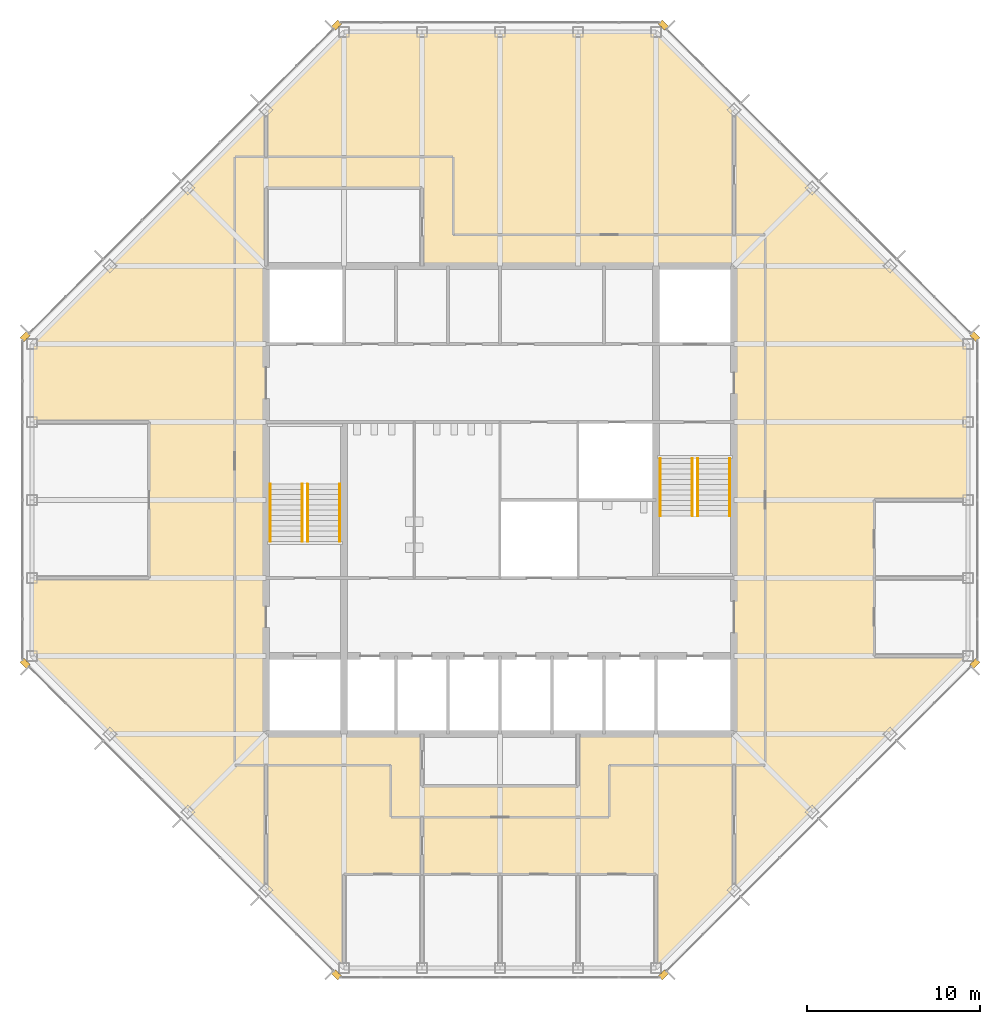
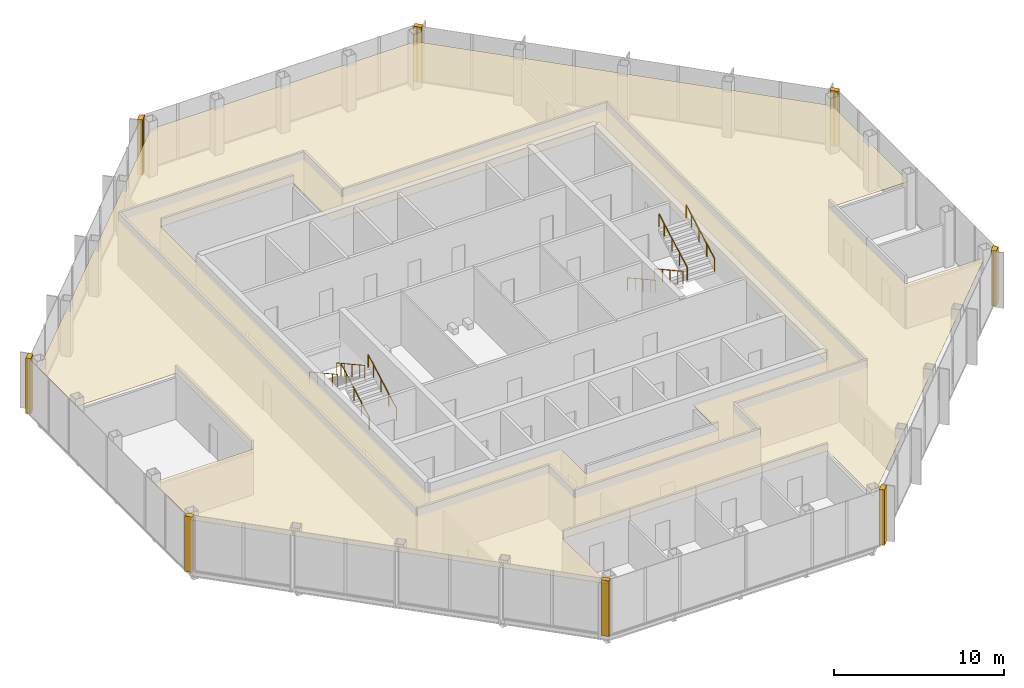
# One storey, part 12 of 13: 9 coverings, 8 railings.
"""IFC4 building model written with IfcOpenShell, lengths in metres."""

from ifc_helpers import new_model, si_unit, direction, frame, origin, origin_2d, place, context, subcontext, project, spatial, polyline, circle, outline, extrude, material, layer, layer_set, type_object, element, save


model = new_model("IFC4")

# Units and contexts
model_context = context("Model", 3, precision=1e-05, world=origin(), true_north=direction((0.0, 1.0)))
body_context = subcontext(model_context, "Body", "Model", "MODEL_VIEW")
ifc_project = project(units=[si_unit("LENGTHUNIT", "METRE"), si_unit("AREAUNIT", "SQUARE_METRE"), si_unit("VOLUMEUNIT", "CUBIC_METRE"), si_unit("PLANEANGLEUNIT", "RADIAN"), si_unit("MASSUNIT", "GRAM", prefix="KILO")], contexts=[model_context])

# Site, building, storey
site_placement = place(None, origin())
site = spatial("IfcSite", under=ifc_project, at=site_placement, CompositionType="ELEMENT")
building_placement = place(site_placement, origin())
building = spatial("IfcBuilding", under=site, at=building_placement, Name="Corais Broadcast Tower", CompositionType="ELEMENT")
storey_placement = place(building_placement, frame((0.0, 0.0, 274.60009765625)))
storey = spatial("IfcBuildingStorey", under=building, at=storey_placement, Name="L64", CompositionType="ELEMENT", Elevation=274.60009765625)

# Railings
ifc_material_1 = material(Name="Stainless steel handrail", Category="steel")
railing_type = type_object("IfcRailingType", Name="Handrail 920", PredefinedType="HANDRAIL", material=ifc_material_1)
for number, where, name in (
    (1, (17.75, 24.60009765625, 0.16650390625), "HR1 L64"),
    (2, (15.89990234375, 24.60009765625, 0.16650390625), "HR1 L64"),
):
    element("IfcRailing", number, at=place(storey_placement, frame(where)), inside=storey, type_object=railing_type, Name=name, PredefinedType="HANDRAIL", context=body_context, shape_type="SweptSolid", body=[
        extrude(circle(Radius=0.02392578125, at=origin_2d()), frame((0.0, 0.0, 0.89599609375), z_axis=(0.0, 0.875504475178, 0.483210010185), x_axis=(-1.0, 0.0, 0.0)), (0.0, 0.0, 1.0), 3.79443359375),
        extrude(circle(Radius=0.02099609375, at=origin_2d()), origin(), (0.0, 0.0, 1.0), 0.871826171875),
        extrude(circle(Radius=0.02099609375, at=origin_2d()), frame((0.0, 0.906005859375, 0.5)), (0.0, 0.0, 1.0), 0.871826171875),
        extrude(circle(Radius=0.02099609375, at=origin_2d()), frame((0.0, 1.81201171875, 1.0)), (0.0, 0.0, 1.0), 0.871826171875),
        extrude(circle(Radius=0.02099609375, at=origin_2d()), frame((0.0, 2.718017578125, 1.500244140625)), (0.0, 0.0, 1.0), 0.871826171875),
        extrude(circle(Radius=0.02099609375, at=origin_2d()), frame((0.0, 3.322021484375, 1.83349609375)), (0.0, 0.0, 1.0), 0.871826171875),
    ])
for number, where, name in (
    (3, (13.75, 27.922119140625, 2.16650390625), "HR1 L64"),
    (4, (15.60009765625, 27.922119140625, 2.16650390625), "HR1 L64"),
    (5, (36.25, 29.39990234375, 0.16650390625), "HR1 L64"),
    (6, (38.10009765625, 29.39990234375, 0.16650390625), "HR1 L64"),
):
    element("IfcRailing", number, at=place(storey_placement, frame(where)), inside=storey, type_object=railing_type, Name=name, PredefinedType="HANDRAIL", context=body_context, shape_type="SweptSolid", body=[
        extrude(circle(Radius=0.02392578125, at=origin_2d()), frame((0.0, 0.0, 0.89599609375), z_axis=(0.0, -0.875504475178, 0.483210010185), x_axis=(1.0, 0.0, 0.0)), (0.0, 0.0, 1.0), 3.79443359375),
        extrude(circle(Radius=0.02099609375, at=origin_2d()), origin(), (0.0, 0.0, 1.0), 0.871826171875),
        extrude(circle(Radius=0.02099609375, at=origin_2d()), frame((0.0, -0.906005859375, 0.5)), (0.0, 0.0, 1.0), 0.871826171875),
        extrude(circle(Radius=0.02099609375, at=origin_2d()), frame((0.0, -1.81201171875, 1.0)), (0.0, 0.0, 1.0), 0.871826171875),
        extrude(circle(Radius=0.02099609375, at=origin_2d()), frame((0.0, -2.718017578125, 1.500244140625)), (0.0, 0.0, 1.0), 0.871826171875),
        extrude(circle(Radius=0.02099609375, at=origin_2d()), frame((0.0, -3.322021484375, 1.83349609375)), (0.0, 0.0, 1.0), 0.871826171875),
    ])
for number, where, name in (
    (7, (40.25, 26.077880859375, 2.16650390625), "HR1 L64"),
    (8, (38.39990234375, 26.077880859375, 2.16650390625), "HR1 L64"),
):
    element("IfcRailing", number, at=place(storey_placement, frame(where)), inside=storey, type_object=railing_type, Name=name, PredefinedType="HANDRAIL", context=body_context, shape_type="SweptSolid", body=[
        extrude(circle(Radius=0.02392578125, at=origin_2d()), frame((0.0, 0.0, 0.89599609375), z_axis=(0.0, 0.875504475178, 0.483210010185), x_axis=(-1.0, 0.0, 0.0)), (0.0, 0.0, 1.0), 3.79443359375),
        extrude(circle(Radius=0.02099609375, at=origin_2d()), origin(), (0.0, 0.0, 1.0), 0.871826171875),
        extrude(circle(Radius=0.02099609375, at=origin_2d()), frame((0.0, 0.906005859375, 0.5)), (0.0, 0.0, 1.0), 0.871826171875),
        extrude(circle(Radius=0.02099609375, at=origin_2d()), frame((0.0, 1.81201171875, 1.0)), (0.0, 0.0, 1.0), 0.871826171875),
        extrude(circle(Radius=0.02099609375, at=origin_2d()), frame((0.0, 2.718017578125, 1.500244140625)), (0.0, 0.0, 1.0), 0.871826171875),
        extrude(circle(Radius=0.02099609375, at=origin_2d()), frame((0.0, 3.322021484375, 1.83349609375)), (0.0, 0.0, 1.0), 0.871826171875),
    ])

# Coverings
ifc_material_2 = material(Name="Granite stone cladding", Category="masonry")
ifc_layer_1 = layer(ifc_material_2, 0.324951171875)
ifc_layer_set_1 = layer_set([ifc_layer_1], Name="Granite stone cladding")
covering_type_1 = type_object("IfcCoveringType", Name="Stone corner pier cladding 500x325", PredefinedType="CLADDING", material=ifc_layer_set_1)
covering_1_placement = place(storey_placement, origin())
element("IfcCovering", 9, at=covering_1_placement, inside=storey, type_object=covering_type_1, Name="SP1 stone corner pier L64", PredefinedType="CLADDING", context=body_context, shape_type="SweptSolid", body=[
    extrude(outline(polyline([(17.860595703125, -0.461669921875), (17.72412109375, -0.324951171875), (17.675048828125, -0.324951171875), (17.675048828125, -0.27587890625), (17.507080078125, -0.108154296875), (17.277099609375, -0.337890625), (17.630859375, -0.69140625), (17.860595703125, -0.461669921875)])), origin(), (0.0, 0.0, 1.0), 4.0),
])
covering_2_placement = place(storey_placement, origin())
element("IfcCovering", 10, at=covering_2_placement, inside=storey, type_object=covering_type_1, Name="SP1 stone corner pier L64", PredefinedType="CLADDING", context=body_context, shape_type="SweptSolid", body=[
    extrude(outline(polyline([(-0.324951171875, 17.72412109375), (-0.461669921875, 17.860595703125), (-0.69140625, 17.630859375), (-0.337890625, 17.277099609375), (-0.108154296875, 17.507080078125), (-0.27587890625, 17.675048828125), (-0.324951171875, 17.675048828125), (-0.324951171875, 17.72412109375)])), origin(), (0.0, 0.0, 1.0), 4.0),
])
covering_3_placement = place(storey_placement, origin())
element("IfcCovering", 11, at=covering_3_placement, inside=storey, type_object=covering_type_1, Name="SP1 stone corner pier L64", PredefinedType="CLADDING", context=body_context, shape_type="SweptSolid", body=[
    extrude(outline(polyline([(-0.461669921875, 36.139404296875), (-0.324951171875, 36.27587890625), (-0.324951171875, 36.324951171875), (-0.27587890625, 36.324951171875), (-0.108154296875, 36.492919921875), (-0.337890625, 36.722900390625), (-0.69140625, 36.369140625), (-0.461669921875, 36.139404296875)])), origin(), (0.0, 0.0, 1.0), 4.0),
])
covering_4_placement = place(storey_placement, origin())
element("IfcCovering", 12, at=covering_4_placement, inside=storey, type_object=covering_type_1, Name="SP1 stone corner pier L64", PredefinedType="CLADDING", context=body_context, shape_type="SweptSolid", body=[
    extrude(outline(polyline([(17.72412109375, 54.324951171875), (17.860595703125, 54.461669921875), (17.630859375, 54.69140625), (17.277099609375, 54.337890625), (17.507080078125, 54.108154296875), (17.675048828125, 54.27587890625), (17.675048828125, 54.324951171875), (17.72412109375, 54.324951171875)])), origin(), (0.0, 0.0, 1.0), 4.0),
])
covering_5_placement = place(storey_placement, origin())
element("IfcCovering", 13, at=covering_5_placement, inside=storey, type_object=covering_type_1, Name="SP1 stone corner pier L64", PredefinedType="CLADDING", context=body_context, shape_type="SweptSolid", body=[
    extrude(outline(polyline([(36.139404296875, 54.461669921875), (36.27587890625, 54.324951171875), (36.324951171875, 54.324951171875), (36.324951171875, 54.27587890625), (36.492919921875, 54.108154296875), (36.722900390625, 54.337890625), (36.369140625, 54.69140625), (36.139404296875, 54.461669921875)])), origin(), (0.0, 0.0, 1.0), 4.0),
])
covering_6_placement = place(storey_placement, origin())
element("IfcCovering", 14, at=covering_6_placement, inside=storey, type_object=covering_type_1, Name="SP1 stone corner pier L64", PredefinedType="CLADDING", context=body_context, shape_type="SweptSolid", body=[
    extrude(outline(polyline([(54.324951171875, 36.27587890625), (54.461669921875, 36.139404296875), (54.69140625, 36.369140625), (54.337890625, 36.722900390625), (54.108154296875, 36.492919921875), (54.27587890625, 36.324951171875), (54.324951171875, 36.324951171875), (54.324951171875, 36.27587890625)])), origin(), (0.0, 0.0, 1.0), 4.0),
])
covering_7_placement = place(storey_placement, origin())
element("IfcCovering", 15, at=covering_7_placement, inside=storey, type_object=covering_type_1, Name="SP1 stone corner pier L64", PredefinedType="CLADDING", context=body_context, shape_type="SweptSolid", body=[
    extrude(outline(polyline([(54.461669921875, 17.860595703125), (54.324951171875, 17.72412109375), (54.324951171875, 17.675048828125), (54.27587890625, 17.675048828125), (54.108154296875, 17.507080078125), (54.337890625, 17.277099609375), (54.69140625, 17.630859375), (54.461669921875, 17.860595703125)])), origin(), (0.0, 0.0, 1.0), 4.0),
])
covering_8_placement = place(storey_placement, origin())
element("IfcCovering", 16, at=covering_8_placement, inside=storey, type_object=covering_type_1, Name="SP1 stone corner pier L64", PredefinedType="CLADDING", context=body_context, shape_type="SweptSolid", body=[
    extrude(outline(polyline([(36.27587890625, -0.324951171875), (36.139404296875, -0.461669921875), (36.369140625, -0.69140625), (36.722900390625, -0.337890625), (36.492919921875, -0.108154296875), (36.324951171875, -0.27587890625), (36.324951171875, -0.324951171875), (36.27587890625, -0.324951171875)])), origin(), (0.0, 0.0, 1.0), 4.0),
])
ifc_material_3 = material(Name="Mineral fibre ceiling tile", Category="mineral")
ifc_layer_2 = layer(ifc_material_3, 0.02001953125)
ifc_layer_set_2 = layer_set([ifc_layer_2], Name="Mineral fibre ceiling tile")
covering_type_2 = type_object("IfcCoveringType", Name="Suspended ceiling", PredefinedType="CEILING", material=ifc_layer_set_2)
covering_9_placement = place(storey_placement, frame((0.0, 0.0, 3.219970703125)))
element("IfcCovering", 17, at=covering_9_placement, inside=storey, type_object=covering_type_2, Name="CE1 ceiling L64", PredefinedType="CEILING", context=body_context, shape_type="SweptSolid", body=[
    extrude(outline(polyline([(13.5, 49.5), (13.5, 49.5), (18.0, 54.0), (36.0, 54.0), (54.0, 36.0), (54.0, 27.0), (48.60009765625, 27.0), (48.60009765625, 18.0), (54.0, 18.0), (40.500244140625, 4.500244140625), (40.49853515625, 4.49853515625), (40.498291015625, 4.498291015625), (36.0, 0.0), (36.0, 5.39990234375), (18.0, 5.39990234375), (18.0, 0.0), (13.501708984375, 4.498291015625), (13.499755859375, 4.500244140625), (0.0, 18.0), (0.0, 22.5), (6.75, 22.5), (6.75, 31.5), (0.0, 31.5), (0.0, 36.0), (13.5, 49.5)]), holes=[polyline([(22.5, 40.5), (22.5, 45.0), (13.5, 45.0), (13.5, 13.5), (22.5, 13.5), (22.5, 10.5), (31.5, 10.5), (31.5, 13.5), (40.5, 13.5), (40.5, 40.5), (22.5, 40.5)])]), origin(), (0.0, 0.0, 1.0), 0.02001953125),
])

save(model, "model.ifc")
